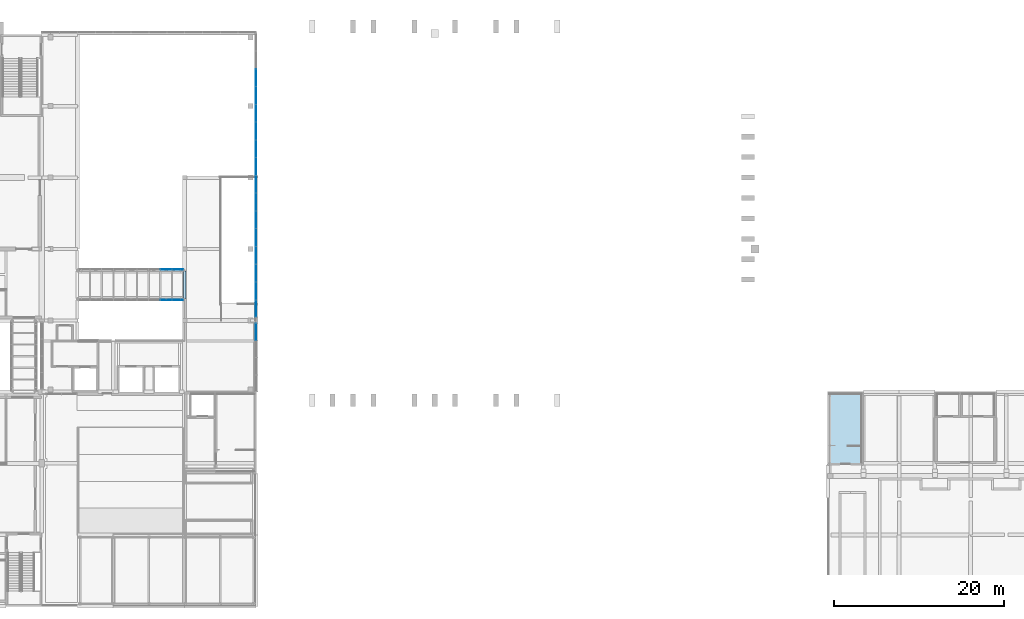
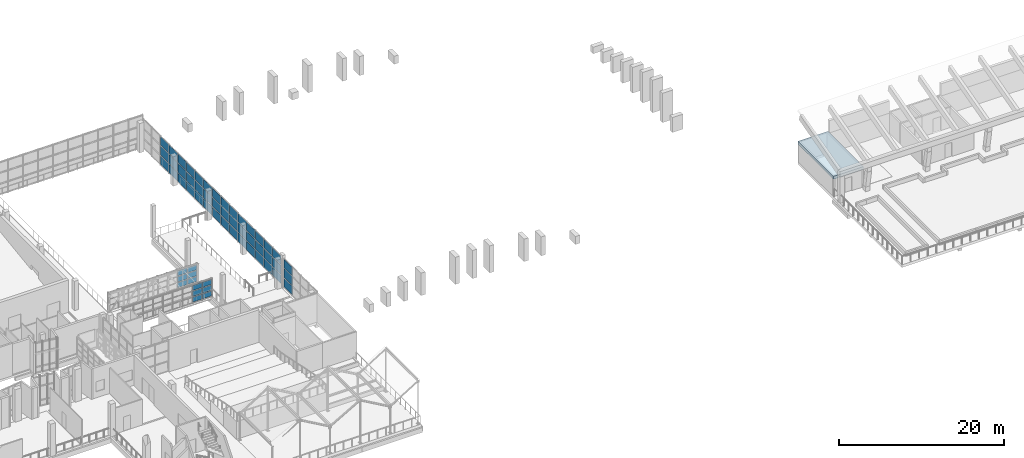
# One storey, part 34 of 67: 58 plates, 1 slab, 4 elements without a shape of their own.
"""IFC4 building model written with IfcOpenShell, lengths in metres."""

from ifc_helpers import new_model, si_unit, direction, frame, origin, origin_2d, place, context, subcontext, project, spatial, polyline, rectangle, outline, extrude, material, layer, layer_set, type_object, element, aggregate, save


model = new_model("IFC4")

# Units and contexts
model_context = context("Model", 3, precision=1e-05, world=origin(), true_north=direction((0.0, 1.0)))
body_context = subcontext(model_context, "Body", "Model", "MODEL_VIEW")
ifc_project = project(units=[si_unit("LENGTHUNIT", "METRE"), si_unit("AREAUNIT", "SQUARE_METRE"), si_unit("VOLUMEUNIT", "CUBIC_METRE"), si_unit("PLANEANGLEUNIT", "RADIAN"), si_unit("MASSUNIT", "GRAM", prefix="KILO")], contexts=[model_context])

# Site, building, storey
site_placement = place(None, origin())
site = spatial("IfcSite", under=ifc_project, at=site_placement, CompositionType="ELEMENT")
building_placement = place(site_placement, origin())
building = spatial("IfcBuilding", under=site, at=building_placement, Name="Kiln Court Media Centre", CompositionType="ELEMENT")
storey_placement = place(building_placement, frame((0.0, 0.0, 19.800048828125)))
storey = spatial("IfcBuildingStorey", under=building, at=storey_placement, Name="L04", CompositionType="ELEMENT", Elevation=19.800048828125)

# Slab
ifc_material_1 = material(Name="Concrete C30/37", Category="concrete")
ifc_layer_1 = layer(ifc_material_1, 0.39990234375)
ifc_layer_set_1 = layer_set([ifc_layer_1], Name="Concrete C30/37 roof slab 400")
slab_type = type_object("IfcSlabType", Name="Concrete C30/37 roof slab 400", PredefinedType="ROOF", material=ifc_layer_set_1)
slab_placement = place(storey_placement, frame((0.0, 0.0, 2.599853515625)))
element("IfcSlab", 1, at=slab_placement, inside=storey, type_object=slab_type, Name="L04-SL-1011", PredefinedType="ROOF", context=body_context, shape_type="SweptSolid", body=[
    extrude(outline(polyline([(126.0, 16.60009765625), (126.0, 25.199951171875), (130.199951171875, 25.199951171875), (130.199951171875, 16.60009765625), (126.0, 16.60009765625)])), origin(), (0.0, 0.0, 1.0), 0.400146484375),
])

# Curtain wall, plates
ifc_material_2 = material(Name="Aluminium 6063-T6", Category="aluminium")
ifc_layer_2 = layer(ifc_material_2, 0.1201171875)
ifc_layer_set_2 = layer_set([ifc_layer_2], Name="Aluminium unitised curtain wall, bridge")
curtain_wall_type_1 = type_object("IfcCurtainWallType", Name="Aluminium unitised curtain wall, bridge", PredefinedType="USERDEFINED", material=ifc_layer_set_2)
curtain_wall_1_placement = place(storey_placement, origin())
curtain_wall_1 = element("IfcCurtainWall", 2, at=curtain_wall_1_placement, inside=storey, type_object=curtain_wall_type_1, Name="BR-L04-FOY-11 side glazing", ObjectType="UNITISED CURTAIN WALL", PredefinedType="USERDEFINED")
ifc_material_3 = material(Name="Aluminium insulated spandrel", Category="aluminium")
ifc_layer_3 = layer(ifc_material_3, 0.028076171875)
ifc_layer_set_3 = layer_set([ifc_layer_3], Name="Insulated aluminium spandrel panel 28")
plate_type_1 = type_object("IfcPlateType", Name="Insulated aluminium spandrel panel 28", PredefinedType="CURTAIN_PANEL", material=ifc_layer_set_3)
plate_1_placement = place(storey_placement, frame((48.2333984375, 36.014892578125, 0.099853515625), z_axis=(0.0, 0.0, 1.0), x_axis=(1.0, 0.0, 0.0)))
plate_1 = element("IfcPlate", 3, at=plate_1_placement, type_object=plate_type_1, Name="CW4-67 panel 8.1", PredefinedType="CURTAIN_PANEL", context=body_context, shape_type="SweptSolid", body=[
    extrude(rectangle(XDim=1.327880859375, YDim=0.028076171875, at=origin_2d()), origin(), (0.0, 0.0, 1.0), 0.74169921875),
])
plate_2_placement = place(storey_placement, frame((48.2333984375, 36.014892578125, 1.833251953125), z_axis=(0.0, 0.0, 1.0), x_axis=(1.0, 0.0, 0.0)))
plate_2 = element("IfcPlate", 4, at=plate_2_placement, type_object=plate_type_1, Name="CW4-67 panel 8.3", PredefinedType="CURTAIN_PANEL", context=body_context, shape_type="SweptSolid", body=[
    extrude(rectangle(XDim=1.327880859375, YDim=0.028076171875, at=origin_2d()), origin(), (0.0, 0.0, 1.0), 0.74169921875),
])
plate_3_placement = place(storey_placement, frame((49.5986328125, 36.014892578125, 0.099853515625), z_axis=(0.0, 0.0, 1.0), x_axis=(1.0, 0.0, 0.0)))
plate_3 = element("IfcPlate", 5, at=plate_3_placement, type_object=plate_type_1, Name="CW4-67 panel 9.1", PredefinedType="CURTAIN_PANEL", context=body_context, shape_type="SweptSolid", body=[
    extrude(rectangle(XDim=1.302734375, YDim=0.028076171875, at=origin_2d()), origin(), (0.0, 0.0, 1.0), 0.74169921875),
])
plate_4_placement = place(storey_placement, frame((49.5986328125, 36.014892578125, 0.941650390625), z_axis=(0.0, 0.0, 1.0), x_axis=(1.0, 0.0, 0.0)))
plate_4 = element("IfcPlate", 6, at=plate_4_placement, type_object=plate_type_1, Name="CW4-67 panel 9.2", PredefinedType="CURTAIN_PANEL", context=body_context, shape_type="SweptSolid", body=[
    extrude(rectangle(XDim=1.302734375, YDim=0.028076171875, at=origin_2d()), origin(), (0.0, 0.0, 1.0), 0.79150390625),
])

curtain_wall_2_placement = place(storey_placement, origin())
curtain_wall_2 = element("IfcCurtainWall", 7, at=curtain_wall_2_placement, inside=storey, type_object=curtain_wall_type_1, Name="BR-L04-FOY-11 side glazing", ObjectType="UNITISED CURTAIN WALL", PredefinedType="USERDEFINED")
plate_5_placement = place(storey_placement, frame((48.2333984375, 39.5849609375, 0.099853515625), z_axis=(0.0, 0.0, 1.0), x_axis=(1.0, 0.0, 0.0)))
plate_5 = element("IfcPlate", 8, at=plate_5_placement, type_object=plate_type_1, Name="CW4-68 panel 8.1", PredefinedType="CURTAIN_PANEL", context=body_context, shape_type="SweptSolid", body=[
    extrude(rectangle(XDim=1.327880859375, YDim=0.028076171875, at=origin_2d()), origin(), (0.0, 0.0, 1.0), 0.74169921875),
])
plate_6_placement = place(storey_placement, frame((48.2333984375, 39.5849609375, 1.833251953125), z_axis=(0.0, 0.0, 1.0), x_axis=(1.0, 0.0, 0.0)))
plate_6 = element("IfcPlate", 9, at=plate_6_placement, type_object=plate_type_1, Name="CW4-68 panel 8.3", PredefinedType="CURTAIN_PANEL", context=body_context, shape_type="SweptSolid", body=[
    extrude(rectangle(XDim=1.327880859375, YDim=0.028076171875, at=origin_2d()), origin(), (0.0, 0.0, 1.0), 0.74169921875),
])
plate_7_placement = place(storey_placement, frame((49.5986328125, 39.5849609375, 0.099853515625), z_axis=(0.0, 0.0, 1.0), x_axis=(1.0, 0.0, 0.0)))
plate_7 = element("IfcPlate", 10, at=plate_7_placement, type_object=plate_type_1, Name="CW4-68 panel 9.1", PredefinedType="CURTAIN_PANEL", context=body_context, shape_type="SweptSolid", body=[
    extrude(rectangle(XDim=1.302734375, YDim=0.028076171875, at=origin_2d()), origin(), (0.0, 0.0, 1.0), 0.74169921875),
])
plate_8_placement = place(storey_placement, frame((49.5986328125, 39.5849609375, 0.941650390625), z_axis=(0.0, 0.0, 1.0), x_axis=(1.0, 0.0, 0.0)))
plate_8 = element("IfcPlate", 11, at=plate_8_placement, type_object=plate_type_1, Name="CW4-68 panel 9.2", PredefinedType="CURTAIN_PANEL", context=body_context, shape_type="SweptSolid", body=[
    extrude(rectangle(XDim=1.302734375, YDim=0.028076171875, at=origin_2d()), origin(), (0.0, 0.0, 1.0), 0.79150390625),
])

# Plate
ifc_material_4 = material(Name="Laminated low-E glazing", Category="glass")
ifc_layer_4 = layer(ifc_material_4, 0.028076171875)
ifc_layer_set_4 = layer_set([ifc_layer_4], Name="Laminated low-E glazed panel 28")
plate_type_2 = type_object("IfcPlateType", Name="Laminated low-E glazed panel 28", PredefinedType="CURTAIN_PANEL", material=ifc_layer_set_4)
plate_9_placement = place(storey_placement, frame((48.2333984375, 36.014892578125, 0.941650390625), z_axis=(0.0, 0.0, 1.0), x_axis=(1.0, 0.0, 0.0)))
plate_9 = element("IfcPlate", 12, at=plate_9_placement, type_object=plate_type_2, Name="CW4-67 panel 8.2", PredefinedType="CURTAIN_PANEL", context=body_context, shape_type="SweptSolid", body=[
    extrude(rectangle(XDim=1.327880859375, YDim=0.028076171875, at=origin_2d()), origin(), (0.0, 0.0, 1.0), 0.79150390625),
])

plate_10_placement = place(storey_placement, frame((49.5986328125, 36.014892578125, 1.833251953125), z_axis=(0.0, 0.0, 1.0), x_axis=(1.0, 0.0, 0.0)))
plate_10 = element("IfcPlate", 13, at=plate_10_placement, type_object=plate_type_2, Name="CW4-67 panel 9.3", PredefinedType="CURTAIN_PANEL", context=body_context, shape_type="SweptSolid", body=[
    extrude(rectangle(XDim=1.302734375, YDim=0.028076171875, at=origin_2d()), origin(), (0.0, 0.0, 1.0), 0.74169921875),
])

aggregate(curtain_wall_1, [plate_1, plate_9, plate_2, plate_3, plate_4, plate_10])

plate_11_placement = place(storey_placement, frame((48.2333984375, 39.5849609375, 0.941650390625), z_axis=(0.0, 0.0, 1.0), x_axis=(1.0, 0.0, 0.0)))
plate_11 = element("IfcPlate", 14, at=plate_11_placement, type_object=plate_type_2, Name="CW4-68 panel 8.2", PredefinedType="CURTAIN_PANEL", context=body_context, shape_type="SweptSolid", body=[
    extrude(rectangle(XDim=1.327880859375, YDim=0.028076171875, at=origin_2d()), origin(), (0.0, 0.0, 1.0), 0.79150390625),
])

plate_12_placement = place(storey_placement, frame((49.5986328125, 39.5849609375, 1.833251953125), z_axis=(0.0, 0.0, 1.0), x_axis=(1.0, 0.0, 0.0)))
plate_12 = element("IfcPlate", 15, at=plate_12_placement, type_object=plate_type_2, Name="CW4-68 panel 9.3", PredefinedType="CURTAIN_PANEL", context=body_context, shape_type="SweptSolid", body=[
    extrude(rectangle(XDim=1.302734375, YDim=0.028076171875, at=origin_2d()), origin(), (0.0, 0.0, 1.0), 0.74169921875),
])

aggregate(curtain_wall_2, [plate_5, plate_11, plate_6, plate_7, plate_8, plate_12])

# Curtain wall, plates
ifc_material_5 = material(Name="Aluminium 6063-T6", Category="aluminium")
ifc_layer_5 = layer(ifc_material_5, 0.1201171875)
ifc_layer_set_5 = layer_set([ifc_layer_5], Name="Aluminium stick curtain wall, clerestory")
curtain_wall_type_2 = type_object("IfcCurtainWallType", Name="Aluminium stick curtain wall, clerestory", PredefinedType="USERDEFINED", material=ifc_layer_set_5)
curtain_wall_3_placement = place(storey_placement, origin())
curtain_wall_3 = element("IfcCurtainWall", 16, at=curtain_wall_3_placement, inside=storey, type_object=curtain_wall_type_2, Name="Foyer east clerestory", ObjectType="STICK CURTAIN WALL", PredefinedType="USERDEFINED")
ifc_material_6 = material(Name="Laminated low-E glazing", Category="glass")
ifc_layer_6 = layer(ifc_material_6, 0.031982421875)
ifc_layer_set_6 = layer_set([ifc_layer_6], Name="Laminated low-E glazed panel 32")
plate_type_3 = type_object("IfcPlateType", Name="Laminated low-E glazed panel 32", PredefinedType="CURTAIN_PANEL", material=ifc_layer_set_6)
plate_13_placement = place(storey_placement, frame((58.800048828125, 32.228759765625, 0.119873046875), z_axis=(0.0, 0.0, 1.0), x_axis=(0.0, 1.0, 0.0)))
plate_13 = element("IfcPlate", 17, at=plate_13_placement, type_object=plate_type_3, Name="CW4-62 panel 4.1", PredefinedType="CURTAIN_PANEL", context=body_context, shape_type="SweptSolid", body=[
    extrude(rectangle(XDim=1.92236328125, YDim=0.031982421875, at=origin_2d()), origin(), (0.0, 0.0, 1.0), 1.27001953125),
])
plate_14_placement = place(storey_placement, frame((58.800048828125, 32.228759765625, 1.510009765625), z_axis=(0.0, 0.0, 1.0), x_axis=(0.0, 1.0, 0.0)))
plate_14 = element("IfcPlate", 18, at=plate_14_placement, type_object=plate_type_3, Name="CW4-62 panel 4.2", PredefinedType="CURTAIN_PANEL", context=body_context, shape_type="SweptSolid", body=[
    extrude(rectangle(XDim=1.92236328125, YDim=0.031982421875, at=origin_2d()), origin(), (0.0, 0.0, 1.0), 1.330078125),
])
plate_15_placement = place(storey_placement, frame((58.800048828125, 32.228759765625, 2.9599609375), z_axis=(0.0, 0.0, 1.0), x_axis=(0.0, 1.0, 0.0)))
plate_15 = element("IfcPlate", 19, at=plate_15_placement, type_object=plate_type_3, Name="CW4-62 panel 4.3", PredefinedType="CURTAIN_PANEL", context=body_context, shape_type="SweptSolid", body=[
    extrude(rectangle(XDim=1.92236328125, YDim=0.031982421875, at=origin_2d()), origin(), (0.0, 0.0, 1.0), 1.27001953125),
])
aggregate(curtain_wall_3, [plate_13, plate_14, plate_15])

curtain_wall_4_placement = place(storey_placement, origin())
curtain_wall_4 = element("IfcCurtainWall", 20, at=curtain_wall_4_placement, inside=storey, type_object=curtain_wall_type_2, Name="Foyer east clerestory", ObjectType="STICK CURTAIN WALL", PredefinedType="USERDEFINED")
plate_16_placement = place(storey_placement, frame((58.800048828125, 35.008544921875, 0.119873046875), z_axis=(0.0, 0.0, 1.0), x_axis=(0.0, 1.0, 0.0)))
plate_16 = element("IfcPlate", 21, at=plate_16_placement, type_object=plate_type_3, Name="CW4-63 panel 1.1", PredefinedType="CURTAIN_PANEL", context=body_context, shape_type="SweptSolid", body=[
    extrude(rectangle(XDim=1.9970703125, YDim=0.031982421875, at=origin_2d()), origin(), (0.0, 0.0, 1.0), 1.27001953125),
])
plate_17_placement = place(storey_placement, frame((58.800048828125, 35.008544921875, 1.510009765625), z_axis=(0.0, 0.0, 1.0), x_axis=(0.0, 1.0, 0.0)))
plate_17 = element("IfcPlate", 22, at=plate_17_placement, type_object=plate_type_3, Name="CW4-63 panel 1.2", PredefinedType="CURTAIN_PANEL", context=body_context, shape_type="SweptSolid", body=[
    extrude(rectangle(XDim=1.9970703125, YDim=0.031982421875, at=origin_2d()), origin(), (0.0, 0.0, 1.0), 1.330078125),
])
plate_18_placement = place(storey_placement, frame((58.800048828125, 35.008544921875, 2.9599609375), z_axis=(0.0, 0.0, 1.0), x_axis=(0.0, 1.0, 0.0)))
plate_18 = element("IfcPlate", 23, at=plate_18_placement, type_object=plate_type_3, Name="CW4-63 panel 1.3", PredefinedType="CURTAIN_PANEL", context=body_context, shape_type="SweptSolid", body=[
    extrude(rectangle(XDim=1.9970703125, YDim=0.031982421875, at=origin_2d()), origin(), (0.0, 0.0, 1.0), 1.27001953125),
])
plate_19_placement = place(storey_placement, frame((58.800048828125, 37.080810546875, 0.119873046875), z_axis=(0.0, 0.0, 1.0), x_axis=(0.0, 1.0, 0.0)))
plate_19 = element("IfcPlate", 24, at=plate_19_placement, type_object=plate_type_3, Name="CW4-63 panel 2.1", PredefinedType="CURTAIN_PANEL", context=body_context, shape_type="SweptSolid", body=[
    extrude(rectangle(XDim=2.027099609375, YDim=0.031982421875, at=origin_2d()), origin(), (0.0, 0.0, 1.0), 1.27001953125),
])
plate_20_placement = place(storey_placement, frame((58.800048828125, 37.080810546875, 1.510009765625), z_axis=(0.0, 0.0, 1.0), x_axis=(0.0, 1.0, 0.0)))
plate_20 = element("IfcPlate", 25, at=plate_20_placement, type_object=plate_type_3, Name="CW4-63 panel 2.2", PredefinedType="CURTAIN_PANEL", context=body_context, shape_type="SweptSolid", body=[
    extrude(rectangle(XDim=2.027099609375, YDim=0.031982421875, at=origin_2d()), origin(), (0.0, 0.0, 1.0), 1.330078125),
])
plate_21_placement = place(storey_placement, frame((58.800048828125, 37.080810546875, 2.9599609375), z_axis=(0.0, 0.0, 1.0), x_axis=(0.0, 1.0, 0.0)))
plate_21 = element("IfcPlate", 26, at=plate_21_placement, type_object=plate_type_3, Name="CW4-63 panel 2.3", PredefinedType="CURTAIN_PANEL", context=body_context, shape_type="SweptSolid", body=[
    extrude(rectangle(XDim=2.027099609375, YDim=0.031982421875, at=origin_2d()), origin(), (0.0, 0.0, 1.0), 1.27001953125),
])
plate_22_placement = place(storey_placement, frame((58.800048828125, 39.16796875, 0.119873046875), z_axis=(0.0, 0.0, 1.0), x_axis=(0.0, 1.0, 0.0)))
plate_22 = element("IfcPlate", 27, at=plate_22_placement, type_object=plate_type_3, Name="CW4-63 panel 3.1", PredefinedType="CURTAIN_PANEL", context=body_context, shape_type="SweptSolid", body=[
    extrude(rectangle(XDim=2.027099609375, YDim=0.031982421875, at=origin_2d()), origin(), (0.0, 0.0, 1.0), 1.27001953125),
])
plate_23_placement = place(storey_placement, frame((58.800048828125, 39.16796875, 1.510009765625), z_axis=(0.0, 0.0, 1.0), x_axis=(0.0, 1.0, 0.0)))
plate_23 = element("IfcPlate", 28, at=plate_23_placement, type_object=plate_type_3, Name="CW4-63 panel 3.2", PredefinedType="CURTAIN_PANEL", context=body_context, shape_type="SweptSolid", body=[
    extrude(rectangle(XDim=2.027099609375, YDim=0.031982421875, at=origin_2d()), origin(), (0.0, 0.0, 1.0), 1.330078125),
])
plate_24_placement = place(storey_placement, frame((58.800048828125, 39.16796875, 2.9599609375), z_axis=(0.0, 0.0, 1.0), x_axis=(0.0, 1.0, 0.0)))
plate_24 = element("IfcPlate", 29, at=plate_24_placement, type_object=plate_type_3, Name="CW4-63 panel 3.3", PredefinedType="CURTAIN_PANEL", context=body_context, shape_type="SweptSolid", body=[
    extrude(rectangle(XDim=2.027099609375, YDim=0.031982421875, at=origin_2d()), origin(), (0.0, 0.0, 1.0), 1.27001953125),
])
plate_25_placement = place(storey_placement, frame((58.800048828125, 41.255126953125, 0.119873046875), z_axis=(0.0, 0.0, 1.0), x_axis=(0.0, 1.0, 0.0)))
plate_25 = element("IfcPlate", 30, at=plate_25_placement, type_object=plate_type_3, Name="CW4-63 panel 4.1", PredefinedType="CURTAIN_PANEL", context=body_context, shape_type="SweptSolid", body=[
    extrude(rectangle(XDim=2.027099609375, YDim=0.031982421875, at=origin_2d()), origin(), (0.0, 0.0, 1.0), 1.27001953125),
])
plate_26_placement = place(storey_placement, frame((58.800048828125, 41.255126953125, 1.510009765625), z_axis=(0.0, 0.0, 1.0), x_axis=(0.0, 1.0, 0.0)))
plate_26 = element("IfcPlate", 31, at=plate_26_placement, type_object=plate_type_3, Name="CW4-63 panel 4.2", PredefinedType="CURTAIN_PANEL", context=body_context, shape_type="SweptSolid", body=[
    extrude(rectangle(XDim=2.027099609375, YDim=0.031982421875, at=origin_2d()), origin(), (0.0, 0.0, 1.0), 1.330078125),
])
plate_27_placement = place(storey_placement, frame((58.800048828125, 41.255126953125, 2.9599609375), z_axis=(0.0, 0.0, 1.0), x_axis=(0.0, 1.0, 0.0)))
plate_27 = element("IfcPlate", 32, at=plate_27_placement, type_object=plate_type_3, Name="CW4-63 panel 4.3", PredefinedType="CURTAIN_PANEL", context=body_context, shape_type="SweptSolid", body=[
    extrude(rectangle(XDim=2.027099609375, YDim=0.031982421875, at=origin_2d()), origin(), (0.0, 0.0, 1.0), 1.27001953125),
])
plate_28_placement = place(storey_placement, frame((58.800048828125, 43.34228515625, 0.119873046875), z_axis=(0.0, 0.0, 1.0), x_axis=(0.0, 1.0, 0.0)))
plate_28 = element("IfcPlate", 33, at=plate_28_placement, type_object=plate_type_3, Name="CW4-63 panel 5.1", PredefinedType="CURTAIN_PANEL", context=body_context, shape_type="SweptSolid", body=[
    extrude(rectangle(XDim=2.027099609375, YDim=0.031982421875, at=origin_2d()), origin(), (0.0, 0.0, 1.0), 1.27001953125),
])
plate_29_placement = place(storey_placement, frame((58.800048828125, 43.34228515625, 1.510009765625), z_axis=(0.0, 0.0, 1.0), x_axis=(0.0, 1.0, 0.0)))
plate_29 = element("IfcPlate", 34, at=plate_29_placement, type_object=plate_type_3, Name="CW4-63 panel 5.2", PredefinedType="CURTAIN_PANEL", context=body_context, shape_type="SweptSolid", body=[
    extrude(rectangle(XDim=2.027099609375, YDim=0.031982421875, at=origin_2d()), origin(), (0.0, 0.0, 1.0), 1.330078125),
])
plate_30_placement = place(storey_placement, frame((58.800048828125, 43.34228515625, 2.9599609375), z_axis=(0.0, 0.0, 1.0), x_axis=(0.0, 1.0, 0.0)))
plate_30 = element("IfcPlate", 35, at=plate_30_placement, type_object=plate_type_3, Name="CW4-63 panel 5.3", PredefinedType="CURTAIN_PANEL", context=body_context, shape_type="SweptSolid", body=[
    extrude(rectangle(XDim=2.027099609375, YDim=0.031982421875, at=origin_2d()), origin(), (0.0, 0.0, 1.0), 1.27001953125),
])
plate_31_placement = place(storey_placement, frame((58.800048828125, 45.429443359375, 0.119873046875), z_axis=(0.0, 0.0, 1.0), x_axis=(0.0, 1.0, 0.0)))
plate_31 = element("IfcPlate", 36, at=plate_31_placement, type_object=plate_type_3, Name="CW4-63 panel 6.1", PredefinedType="CURTAIN_PANEL", context=body_context, shape_type="SweptSolid", body=[
    extrude(rectangle(XDim=2.027099609375, YDim=0.031982421875, at=origin_2d()), origin(), (0.0, 0.0, 1.0), 1.27001953125),
])
plate_32_placement = place(storey_placement, frame((58.800048828125, 45.429443359375, 1.510009765625), z_axis=(0.0, 0.0, 1.0), x_axis=(0.0, 1.0, 0.0)))
plate_32 = element("IfcPlate", 37, at=plate_32_placement, type_object=plate_type_3, Name="CW4-63 panel 6.2", PredefinedType="CURTAIN_PANEL", context=body_context, shape_type="SweptSolid", body=[
    extrude(rectangle(XDim=2.027099609375, YDim=0.031982421875, at=origin_2d()), origin(), (0.0, 0.0, 1.0), 1.330078125),
])
plate_33_placement = place(storey_placement, frame((58.800048828125, 45.429443359375, 2.9599609375), z_axis=(0.0, 0.0, 1.0), x_axis=(0.0, 1.0, 0.0)))
plate_33 = element("IfcPlate", 38, at=plate_33_placement, type_object=plate_type_3, Name="CW4-63 panel 6.3", PredefinedType="CURTAIN_PANEL", context=body_context, shape_type="SweptSolid", body=[
    extrude(rectangle(XDim=2.027099609375, YDim=0.031982421875, at=origin_2d()), origin(), (0.0, 0.0, 1.0), 1.27001953125),
])
plate_34_placement = place(storey_placement, frame((58.800048828125, 47.5166015625, 0.119873046875), z_axis=(0.0, 0.0, 1.0), x_axis=(0.0, 1.0, 0.0)))
plate_34 = element("IfcPlate", 39, at=plate_34_placement, type_object=plate_type_3, Name="CW4-63 panel 7.1", PredefinedType="CURTAIN_PANEL", context=body_context, shape_type="SweptSolid", body=[
    extrude(rectangle(XDim=2.027099609375, YDim=0.031982421875, at=origin_2d()), origin(), (0.0, 0.0, 1.0), 1.27001953125),
])
plate_35_placement = place(storey_placement, frame((58.800048828125, 47.5166015625, 1.510009765625), z_axis=(0.0, 0.0, 1.0), x_axis=(0.0, 1.0, 0.0)))
plate_35 = element("IfcPlate", 40, at=plate_35_placement, type_object=plate_type_3, Name="CW4-63 panel 7.2", PredefinedType="CURTAIN_PANEL", context=body_context, shape_type="SweptSolid", body=[
    extrude(rectangle(XDim=2.027099609375, YDim=0.031982421875, at=origin_2d()), origin(), (0.0, 0.0, 1.0), 1.330078125),
])
plate_36_placement = place(storey_placement, frame((58.800048828125, 47.5166015625, 2.9599609375), z_axis=(0.0, 0.0, 1.0), x_axis=(0.0, 1.0, 0.0)))
plate_36 = element("IfcPlate", 41, at=plate_36_placement, type_object=plate_type_3, Name="CW4-63 panel 7.3", PredefinedType="CURTAIN_PANEL", context=body_context, shape_type="SweptSolid", body=[
    extrude(rectangle(XDim=2.027099609375, YDim=0.031982421875, at=origin_2d()), origin(), (0.0, 0.0, 1.0), 1.27001953125),
])
plate_37_placement = place(storey_placement, frame((58.800048828125, 49.603759765625, 0.119873046875), z_axis=(0.0, 0.0, 1.0), x_axis=(0.0, 1.0, 0.0)))
plate_37 = element("IfcPlate", 42, at=plate_37_placement, type_object=plate_type_3, Name="CW4-63 panel 8.1", PredefinedType="CURTAIN_PANEL", context=body_context, shape_type="SweptSolid", body=[
    extrude(rectangle(XDim=2.027099609375, YDim=0.031982421875, at=origin_2d()), origin(), (0.0, 0.0, 1.0), 1.27001953125),
])
plate_38_placement = place(storey_placement, frame((58.800048828125, 49.603759765625, 1.510009765625), z_axis=(0.0, 0.0, 1.0), x_axis=(0.0, 1.0, 0.0)))
plate_38 = element("IfcPlate", 43, at=plate_38_placement, type_object=plate_type_3, Name="CW4-63 panel 8.2", PredefinedType="CURTAIN_PANEL", context=body_context, shape_type="SweptSolid", body=[
    extrude(rectangle(XDim=2.027099609375, YDim=0.031982421875, at=origin_2d()), origin(), (0.0, 0.0, 1.0), 1.330078125),
])
plate_39_placement = place(storey_placement, frame((58.800048828125, 49.603759765625, 2.9599609375), z_axis=(0.0, 0.0, 1.0), x_axis=(0.0, 1.0, 0.0)))
plate_39 = element("IfcPlate", 44, at=plate_39_placement, type_object=plate_type_3, Name="CW4-63 panel 8.3", PredefinedType="CURTAIN_PANEL", context=body_context, shape_type="SweptSolid", body=[
    extrude(rectangle(XDim=2.027099609375, YDim=0.031982421875, at=origin_2d()), origin(), (0.0, 0.0, 1.0), 1.27001953125),
])
plate_40_placement = place(storey_placement, frame((58.800048828125, 51.69091796875, 0.119873046875), z_axis=(0.0, 0.0, 1.0), x_axis=(0.0, 1.0, 0.0)))
plate_40 = element("IfcPlate", 45, at=plate_40_placement, type_object=plate_type_3, Name="CW4-63 panel 9.1", PredefinedType="CURTAIN_PANEL", context=body_context, shape_type="SweptSolid", body=[
    extrude(rectangle(XDim=2.027099609375, YDim=0.031982421875, at=origin_2d()), origin(), (0.0, 0.0, 1.0), 1.27001953125),
])
plate_41_placement = place(storey_placement, frame((58.800048828125, 51.69091796875, 1.510009765625), z_axis=(0.0, 0.0, 1.0), x_axis=(0.0, 1.0, 0.0)))
plate_41 = element("IfcPlate", 46, at=plate_41_placement, type_object=plate_type_3, Name="CW4-63 panel 9.2", PredefinedType="CURTAIN_PANEL", context=body_context, shape_type="SweptSolid", body=[
    extrude(rectangle(XDim=2.027099609375, YDim=0.031982421875, at=origin_2d()), origin(), (0.0, 0.0, 1.0), 1.330078125),
])
plate_42_placement = place(storey_placement, frame((58.800048828125, 51.69091796875, 2.9599609375), z_axis=(0.0, 0.0, 1.0), x_axis=(0.0, 1.0, 0.0)))
plate_42 = element("IfcPlate", 47, at=plate_42_placement, type_object=plate_type_3, Name="CW4-63 panel 9.3", PredefinedType="CURTAIN_PANEL", context=body_context, shape_type="SweptSolid", body=[
    extrude(rectangle(XDim=2.027099609375, YDim=0.031982421875, at=origin_2d()), origin(), (0.0, 0.0, 1.0), 1.27001953125),
])
plate_43_placement = place(storey_placement, frame((58.800048828125, 53.778076171875, 0.119873046875), z_axis=(0.0, 0.0, 1.0), x_axis=(0.0, 1.0, 0.0)))
plate_43 = element("IfcPlate", 48, at=plate_43_placement, type_object=plate_type_3, Name="CW4-63 panel 10.1", PredefinedType="CURTAIN_PANEL", context=body_context, shape_type="SweptSolid", body=[
    extrude(rectangle(XDim=2.027099609375, YDim=0.031982421875, at=origin_2d()), origin(), (0.0, 0.0, 1.0), 1.27001953125),
])
plate_44_placement = place(storey_placement, frame((58.800048828125, 53.778076171875, 1.510009765625), z_axis=(0.0, 0.0, 1.0), x_axis=(0.0, 1.0, 0.0)))
plate_44 = element("IfcPlate", 49, at=plate_44_placement, type_object=plate_type_3, Name="CW4-63 panel 10.2", PredefinedType="CURTAIN_PANEL", context=body_context, shape_type="SweptSolid", body=[
    extrude(rectangle(XDim=2.027099609375, YDim=0.031982421875, at=origin_2d()), origin(), (0.0, 0.0, 1.0), 1.330078125),
])
plate_45_placement = place(storey_placement, frame((58.800048828125, 53.778076171875, 2.9599609375), z_axis=(0.0, 0.0, 1.0), x_axis=(0.0, 1.0, 0.0)))
plate_45 = element("IfcPlate", 50, at=plate_45_placement, type_object=plate_type_3, Name="CW4-63 panel 10.3", PredefinedType="CURTAIN_PANEL", context=body_context, shape_type="SweptSolid", body=[
    extrude(rectangle(XDim=2.027099609375, YDim=0.031982421875, at=origin_2d()), origin(), (0.0, 0.0, 1.0), 1.27001953125),
])
plate_46_placement = place(storey_placement, frame((58.800048828125, 55.865234375, 0.119873046875), z_axis=(0.0, 0.0, 1.0), x_axis=(0.0, 1.0, 0.0)))
plate_46 = element("IfcPlate", 51, at=plate_46_placement, type_object=plate_type_3, Name="CW4-63 panel 11.1", PredefinedType="CURTAIN_PANEL", context=body_context, shape_type="SweptSolid", body=[
    extrude(rectangle(XDim=2.027099609375, YDim=0.031982421875, at=origin_2d()), origin(), (0.0, 0.0, 1.0), 1.27001953125),
])
plate_47_placement = place(storey_placement, frame((58.800048828125, 55.865234375, 1.510009765625), z_axis=(0.0, 0.0, 1.0), x_axis=(0.0, 1.0, 0.0)))
plate_47 = element("IfcPlate", 52, at=plate_47_placement, type_object=plate_type_3, Name="CW4-63 panel 11.2", PredefinedType="CURTAIN_PANEL", context=body_context, shape_type="SweptSolid", body=[
    extrude(rectangle(XDim=2.027099609375, YDim=0.031982421875, at=origin_2d()), origin(), (0.0, 0.0, 1.0), 1.330078125),
])
plate_48_placement = place(storey_placement, frame((58.800048828125, 55.865234375, 2.9599609375), z_axis=(0.0, 0.0, 1.0), x_axis=(0.0, 1.0, 0.0)))
plate_48 = element("IfcPlate", 53, at=plate_48_placement, type_object=plate_type_3, Name="CW4-63 panel 11.3", PredefinedType="CURTAIN_PANEL", context=body_context, shape_type="SweptSolid", body=[
    extrude(rectangle(XDim=2.027099609375, YDim=0.031982421875, at=origin_2d()), origin(), (0.0, 0.0, 1.0), 1.27001953125),
])
plate_49_placement = place(storey_placement, frame((58.800048828125, 57.952392578125, 0.119873046875), z_axis=(0.0, 0.0, 1.0), x_axis=(0.0, 1.0, 0.0)))
plate_49 = element("IfcPlate", 54, at=plate_49_placement, type_object=plate_type_3, Name="CW4-63 panel 12.1", PredefinedType="CURTAIN_PANEL", context=body_context, shape_type="SweptSolid", body=[
    extrude(rectangle(XDim=2.027099609375, YDim=0.031982421875, at=origin_2d()), origin(), (0.0, 0.0, 1.0), 1.27001953125),
])
plate_50_placement = place(storey_placement, frame((58.800048828125, 57.952392578125, 1.510009765625), z_axis=(0.0, 0.0, 1.0), x_axis=(0.0, 1.0, 0.0)))
plate_50 = element("IfcPlate", 55, at=plate_50_placement, type_object=plate_type_3, Name="CW4-63 panel 12.2", PredefinedType="CURTAIN_PANEL", context=body_context, shape_type="SweptSolid", body=[
    extrude(rectangle(XDim=2.027099609375, YDim=0.031982421875, at=origin_2d()), origin(), (0.0, 0.0, 1.0), 1.330078125),
])
plate_51_placement = place(storey_placement, frame((58.800048828125, 57.952392578125, 2.9599609375), z_axis=(0.0, 0.0, 1.0), x_axis=(0.0, 1.0, 0.0)))
plate_51 = element("IfcPlate", 56, at=plate_51_placement, type_object=plate_type_3, Name="CW4-63 panel 12.3", PredefinedType="CURTAIN_PANEL", context=body_context, shape_type="SweptSolid", body=[
    extrude(rectangle(XDim=2.027099609375, YDim=0.031982421875, at=origin_2d()), origin(), (0.0, 0.0, 1.0), 1.27001953125),
])
plate_52_placement = place(storey_placement, frame((58.800048828125, 60.03955078125, 0.119873046875), z_axis=(0.0, 0.0, 1.0), x_axis=(0.0, 1.0, 0.0)))
plate_52 = element("IfcPlate", 57, at=plate_52_placement, type_object=plate_type_3, Name="CW4-63 panel 13.1", PredefinedType="CURTAIN_PANEL", context=body_context, shape_type="SweptSolid", body=[
    extrude(rectangle(XDim=2.027099609375, YDim=0.031982421875, at=origin_2d()), origin(), (0.0, 0.0, 1.0), 1.27001953125),
])
plate_53_placement = place(storey_placement, frame((58.800048828125, 60.03955078125, 1.510009765625), z_axis=(0.0, 0.0, 1.0), x_axis=(0.0, 1.0, 0.0)))
plate_53 = element("IfcPlate", 58, at=plate_53_placement, type_object=plate_type_3, Name="CW4-63 panel 13.2", PredefinedType="CURTAIN_PANEL", context=body_context, shape_type="SweptSolid", body=[
    extrude(rectangle(XDim=2.027099609375, YDim=0.031982421875, at=origin_2d()), origin(), (0.0, 0.0, 1.0), 1.330078125),
])
plate_54_placement = place(storey_placement, frame((58.800048828125, 60.03955078125, 2.9599609375), z_axis=(0.0, 0.0, 1.0), x_axis=(0.0, 1.0, 0.0)))
plate_54 = element("IfcPlate", 59, at=plate_54_placement, type_object=plate_type_3, Name="CW4-63 panel 13.3", PredefinedType="CURTAIN_PANEL", context=body_context, shape_type="SweptSolid", body=[
    extrude(rectangle(XDim=2.027099609375, YDim=0.031982421875, at=origin_2d()), origin(), (0.0, 0.0, 1.0), 1.27001953125),
])
plate_55_placement = place(storey_placement, frame((58.800048828125, 62.126708984375, 0.119873046875), z_axis=(0.0, 0.0, 1.0), x_axis=(0.0, 1.0, 0.0)))
plate_55 = element("IfcPlate", 60, at=plate_55_placement, type_object=plate_type_3, Name="CW4-63 panel 14.1", PredefinedType="CURTAIN_PANEL", context=body_context, shape_type="SweptSolid", body=[
    extrude(rectangle(XDim=2.027099609375, YDim=0.031982421875, at=origin_2d()), origin(), (0.0, 0.0, 1.0), 1.27001953125),
])
plate_56_placement = place(storey_placement, frame((58.800048828125, 62.126708984375, 1.510009765625), z_axis=(0.0, 0.0, 1.0), x_axis=(0.0, 1.0, 0.0)))
plate_56 = element("IfcPlate", 61, at=plate_56_placement, type_object=plate_type_3, Name="CW4-63 panel 14.2", PredefinedType="CURTAIN_PANEL", context=body_context, shape_type="SweptSolid", body=[
    extrude(rectangle(XDim=2.027099609375, YDim=0.031982421875, at=origin_2d()), origin(), (0.0, 0.0, 1.0), 1.330078125),
])
plate_57_placement = place(storey_placement, frame((58.800048828125, 62.126708984375, 2.9599609375), z_axis=(0.0, 0.0, 1.0), x_axis=(0.0, 1.0, 0.0)))
plate_57 = element("IfcPlate", 62, at=plate_57_placement, type_object=plate_type_3, Name="CW4-63 panel 14.3", PredefinedType="CURTAIN_PANEL", context=body_context, shape_type="SweptSolid", body=[
    extrude(rectangle(XDim=2.027099609375, YDim=0.031982421875, at=origin_2d()), origin(), (0.0, 0.0, 1.0), 1.27001953125),
])
aggregate(curtain_wall_4, [plate_16, plate_17, plate_18, plate_19, plate_20, plate_21, plate_22, plate_23, plate_24, plate_25, plate_26, plate_27, plate_28, plate_29, plate_30, plate_31, plate_32, plate_33, plate_34, plate_35, plate_36, plate_37, plate_38, plate_39, plate_40, plate_41, plate_42, plate_43, plate_44, plate_45, plate_46, plate_47, plate_48, plate_49, plate_50, plate_51, plate_52, plate_53, plate_54, plate_55, plate_56, plate_57])

# Plate
ifc_material_7 = material(Name="Steel ASTM A572 Gr 50", Category="steel")
ifc_layer_7 = layer(ifc_material_7, 0.010009765625)
ifc_layer_set_7 = layer_set([ifc_layer_7], Name="Steel ASTM A572 Gr 50 300x3200x10 movement joint cover plate")
plate_type_4 = type_object("IfcPlateType", Name="Steel ASTM A572 Gr 50 300x3200x10 movement joint cover plate", PredefinedType="USERDEFINED", material=ifc_layer_set_7)
plate_58_placement = place(storey_placement, frame((50.39990234375, 37.800048828125, -0.001953125), z_axis=(0.0, 0.0, 1.0), x_axis=(1.0, 0.0, 0.0)))
element("IfcPlate", 63, at=plate_58_placement, inside=storey, type_object=plate_type_4, Name="bridge BR-L04-FOY-11 joint 2 movement joint cover plate", ObjectType="MOVEMENT JOINT COVER PLATE", PredefinedType="USERDEFINED", context=body_context, shape_type="SweptSolid", body=[
    extrude(rectangle(XDim=0.300048828125, YDim=3.199951171875, at=origin_2d()), origin(), (0.0, 0.0, 1.0), 0.010009765625),
])

save(model, "model.ifc")
